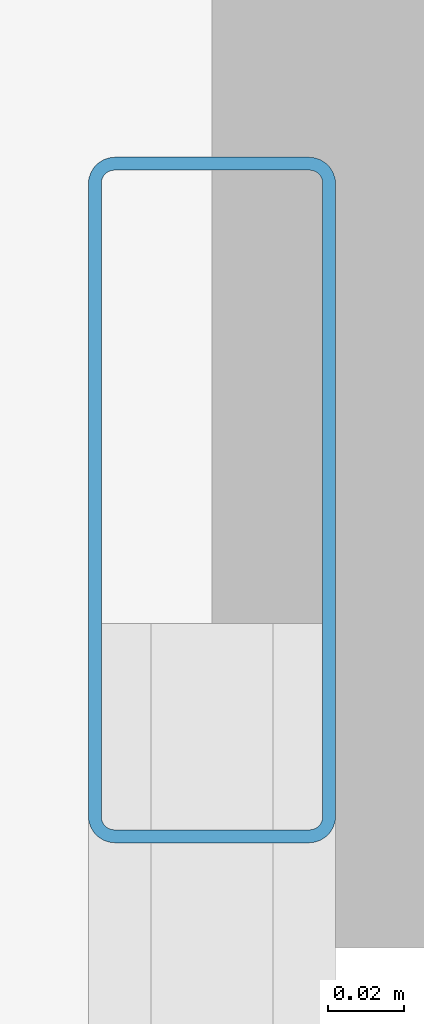
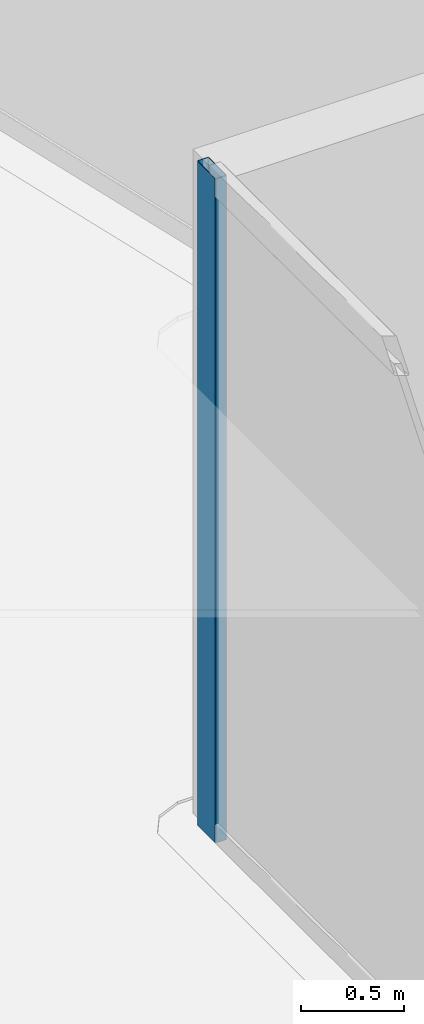
# One storey, part 20 of 45: 1 member, 1 element without a shape of its own.
"""IFC4 building model written with IfcOpenShell, lengths in metres."""

from ifc_helpers import new_model, si_unit, direction, frame, origin, origin_2d, place, context, subcontext, project, spatial, hollow_rectangle, extrude, material, layer, layer_set, material_profile, profile_set, type_object, element, aggregate, save


model = new_model("IFC4")

# Units and contexts
model_context = context("Model", 3, precision=1e-05, world=origin(), true_north=direction((0.0, 1.0)))
body_context = subcontext(model_context, "Body", "Model", "MODEL_VIEW")
ifc_project = project(units=[si_unit("LENGTHUNIT", "METRE"), si_unit("AREAUNIT", "SQUARE_METRE"), si_unit("VOLUMEUNIT", "CUBIC_METRE"), si_unit("PLANEANGLEUNIT", "RADIAN"), si_unit("MASSUNIT", "GRAM", prefix="KILO")], contexts=[model_context])

# Site, building, storey
site_placement = place(None, origin())
site = spatial("IfcSite", under=ifc_project, at=site_placement, CompositionType="ELEMENT")
building_placement = place(site_placement, origin())
building = spatial("IfcBuilding", under=site, at=building_placement, Name="Qorvath Tower", CompositionType="ELEMENT")
storey_placement = place(building_placement, frame((0.0, 0.0, 91.199951171875)))
storey = spatial("IfcBuildingStorey", under=building, at=storey_placement, Name="L20", CompositionType="ELEMENT", Elevation=91.199951171875)

# Curtain wall, member
ifc_material_1 = material(Name="Anodised aluminium and triple low-E glass", Category="aluminium")
ifc_layer = layer(ifc_material_1, 0.179931640625)
ifc_layer_set = layer_set([ifc_layer], Name="CW-SYS-2")
curtain_wall_type = type_object("IfcCurtainWallType", Name="CW-SYS-2", PredefinedType="NOTDEFINED", material=ifc_layer_set)
curtain_wall_placement = place(storey_placement, origin())
curtain_wall = element("IfcCurtainWall", 1, at=curtain_wall_placement, inside=storey, type_object=curtain_wall_type, Name="Curtain Wall CW-2 CW-T-L20-9.1", PredefinedType="NOTDEFINED")
ifc_material_2 = material(Name="Anodised aluminium 6063-T6", Category="aluminium")
ifc_material_profile = material_profile(ifc_material_2, hollow_rectangle(XDim=0.06494140625, YDim=0.179931640625, WallThickness=0.00341796875, InnerFilletRadius=0.00341796875, OuterFilletRadius=0.007080078125, at=origin_2d()), Name="CWM 180x65")
ifc_profile_set = profile_set([ifc_material_profile], Name="Anodised aluminium 6063-T6")
member_type = type_object("IfcMemberType", Name="CWM-180", PredefinedType="MULLION", material=ifc_profile_set)
member_placement = place(storey_placement, frame((2.17236328125, 5.065185546875, 0.0), z_axis=(0.0, 0.0, 1.0), x_axis=(-1.0, 0.0, 0.0)))
member = element("IfcMember", 2, at=member_placement, type_object=member_type, Name="CW-2 mullion 3", PredefinedType="MULLION", context=body_context, shape_type="SweptSolid", body=[
    extrude(hollow_rectangle(XDim=0.06494140625, YDim=0.179931640625, WallThickness=0.00341796875, InnerFilletRadius=0.00341796875, OuterFilletRadius=0.007080078125, at=origin_2d()), origin(), (0.0, 0.0, 1.0), 3.920166015625),
])
aggregate(curtain_wall, [member])

save(model, "model.ifc")
